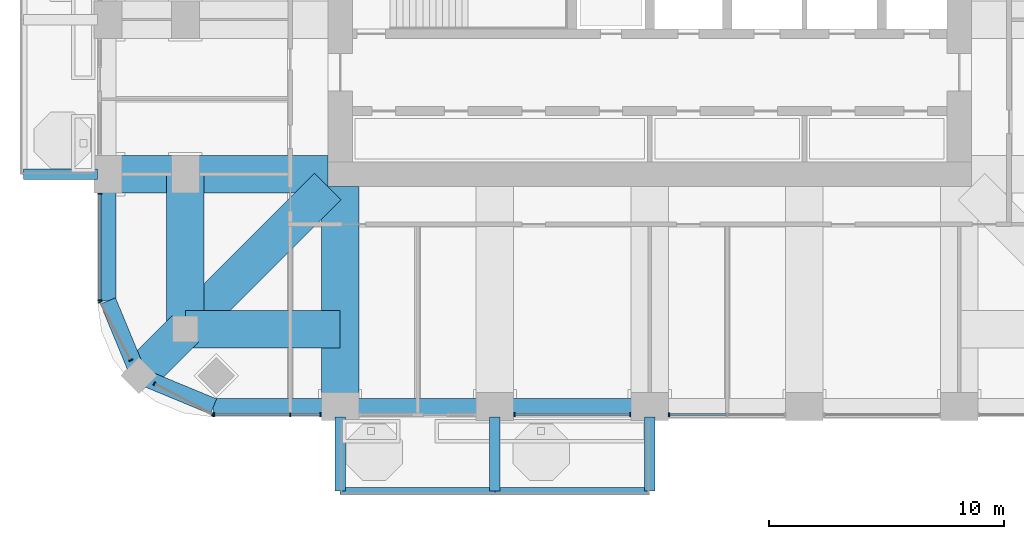
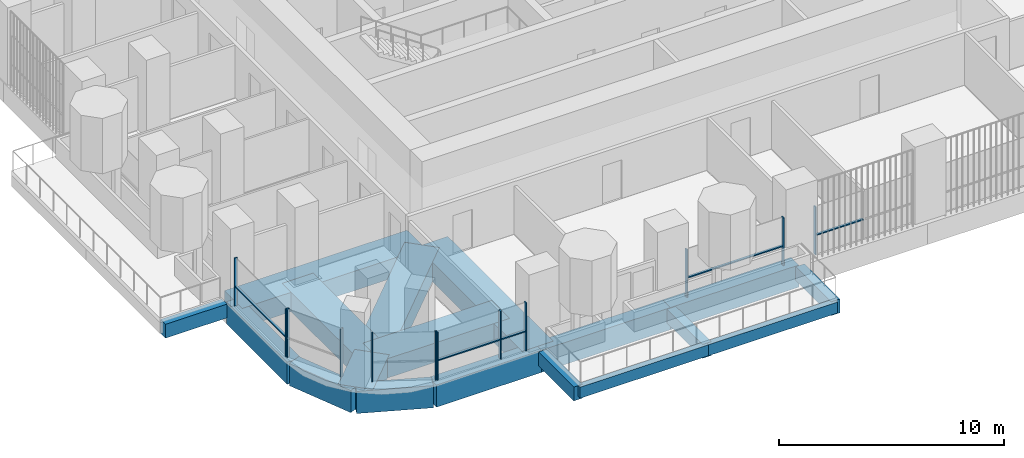
# One storey, part 2 of 20: 18 beams, 17 members, 6 elements without a shape of their own.
"""IFC4 building model written with IfcOpenShell, lengths in metres."""

from ifc_helpers import new_model, si_unit, direction, frame, origin, origin_2d, place, context, subcontext, project, spatial, rectangle, extrude, material, material_profile, profile_set, type_object, element, aggregate, save


model = new_model("IFC4")

# Units and contexts
model_context = context("Model", 3, precision=1e-05, world=origin(), true_north=direction((0.0, 1.0)))
body_context = subcontext(model_context, "Body", "Model", "MODEL_VIEW")
ifc_project = project(units=[si_unit("LENGTHUNIT", "METRE"), si_unit("AREAUNIT", "SQUARE_METRE"), si_unit("VOLUMEUNIT", "CUBIC_METRE"), si_unit("PLANEANGLEUNIT", "RADIAN"), si_unit("MASSUNIT", "GRAM", prefix="KILO")], contexts=[model_context])

# Site, building, storey
site_placement = place(None, origin())
site = spatial("IfcSite", under=ifc_project, at=site_placement, CompositionType="ELEMENT")
building_placement = place(site_placement, origin())
building = spatial("IfcBuilding", under=site, at=building_placement, Name="Cobogo Forest Laboratory Tower", CompositionType="ELEMENT")
storey_placement = place(building_placement, frame((0.0, 0.0, 210.300048828125)))
storey = spatial("IfcBuildingStorey", under=building, at=storey_placement, Name="L48", CompositionType="ELEMENT", Elevation=210.300048828125)

# Beams
ifc_material_1 = material(Name="Concrete HA-40 (C40/50)", Category="concrete")
ifc_material_profile_1 = material_profile(ifc_material_1, rectangle(XDim=0.449951171875, YDim=0.75, at=origin_2d()), Name="RC 450x750")
ifc_profile_set_1 = profile_set([ifc_material_profile_1], Name="Concrete HA-40 (C40/50)")
beam_type_1 = type_object("IfcBeamType", Name="Balcony cantilever beam 450x750", PredefinedType="BEAM", material=ifc_profile_set_1)
for number, where, z_axis, x_axis, name in (
    (1, (13.199951171875, 2.85009765625, -0.625), (0.0, -1.0, 0.0), (1.0, 0.0, 0.0), "CB1 BAL-S1-C1 L48"),
    (2, (19.800048828125, 2.85009765625, -0.625), (0.0, -1.0, 0.0), (1.0, 0.0, 0.0), "CB1 BAL-S1-C2 L48"),
    (3, (26.39990234375, 2.85009765625, -0.625), (0.0, -1.0, 0.0), (1.0, 0.0, 0.0), "CB1 BAL-S1-C3 L48"),
    (4, (2.85009765625, 13.199951171875, -0.625), (-1.0, 0.0, 0.0), (0.0, -1.0, 0.0), "CB1 BAL-W1-C1 L48"),
):
    element("IfcBeam", number, at=place(storey_placement, frame(where, z_axis=z_axis, x_axis=x_axis)), inside=storey, type_object=beam_type_1, Name=name, PredefinedType="BEAM", context=body_context, shape_type="SweptSolid", body=[
        extrude(rectangle(XDim=0.449951171875, YDim=0.75, at=origin_2d()), origin(), (0.0, 0.0, 1.0), 3.150146484375),
    ])
ifc_material_profile_2 = material_profile(ifc_material_1, rectangle(XDim=0.300048828125, YDim=0.60009765625, at=origin_2d()), Name="RC 300x600")
ifc_profile_set_2 = profile_set([ifc_material_profile_2], Name="Concrete HA-40 (C40/50)")
beam_type_2 = type_object("IfcBeamType", Name="Balcony edge beam 300x600", PredefinedType="BEAM", material=ifc_profile_set_2)
beam_1_placement = place(storey_placement, frame((13.199951171875, -0.300048828125, -0.550048828125), z_axis=(1.0, 0.0, 0.0), x_axis=(0.0, 1.0, 0.0)))
element("IfcBeam", 5, at=beam_1_placement, inside=storey, type_object=beam_type_2, Name="BB1 BAL-S1-T1 L48", PredefinedType="BEAM", context=body_context, shape_type="SweptSolid", body=[
    extrude(rectangle(XDim=0.300048828125, YDim=0.60009765625, at=origin_2d()), origin(), (0.0, 0.0, 1.0), 6.60009765625),
])
beam_2_placement = place(storey_placement, frame((19.800048828125, -0.300048828125, -0.550048828125), z_axis=(1.0, 0.0, 0.0), x_axis=(0.0, 1.0, 0.0)))
element("IfcBeam", 6, at=beam_2_placement, inside=storey, type_object=beam_type_2, Name="BB1 BAL-S1-T2 L48", PredefinedType="BEAM", context=body_context, shape_type="SweptSolid", body=[
    extrude(rectangle(XDim=0.300048828125, YDim=0.60009765625, at=origin_2d()), origin(), (0.0, 0.0, 1.0), 6.599853515625),
])
ifc_material_2 = material(Name="Concrete HA-50 (C50/60)", Category="concrete")
ifc_material_profile_3 = material_profile(ifc_material_2, rectangle(XDim=1.60009765625, YDim=1.050048828125, at=origin_2d()), Name="RC 1600x1050")
ifc_profile_set_3 = profile_set([ifc_material_profile_3], Name="Concrete HA-50 (C50/60)")
beam_type_3 = type_object("IfcBeamType", Name="Laboratory floor wide beam 1600x1050", PredefinedType="BEAM", material=ifc_profile_set_3)
for number, where, z_axis, x_axis, name in (
    (7, (13.199951171875, 12.675048828125, -0.824951171875), (0.0, -1.0, 0.0), (1.0, 0.0, 0.0), "RB8 R-3-S L48"),
    (8, (12.675048828125, 13.199951171875, -0.824951171875), (-1.0, 0.0, 0.0), (0.0, -1.0, 0.0), "RB8 R-C-W L48"),
):
    element("IfcBeam", number, at=place(storey_placement, frame(where, z_axis=z_axis, x_axis=x_axis)), inside=storey, type_object=beam_type_3, Name=name, PredefinedType="BEAM", context=body_context, shape_type="SweptSolid", body=[
        extrude(rectangle(XDim=1.60009765625, YDim=1.050048828125, at=origin_2d()), origin(), (0.0, 0.0, 1.0), 9.375),
    ])
for number, where, z_axis, x_axis, name in (
    (9, (6.60009765625, 6.60009765625, -0.824951171875), (0.0, 1.0, 0.0), (-1.0, 0.0, 0.0), "RB8 G-SW-XC L48"),
    (10, (6.60009765625, 6.60009765625, -0.824951171875), (1.0, 0.0, 0.0), (0.0, 1.0, 0.0), "RB8 G-SW-YC L48"),
):
    element("IfcBeam", number, at=place(storey_placement, frame(where, z_axis=z_axis, x_axis=x_axis)), inside=storey, type_object=beam_type_3, Name=name, PredefinedType="BEAM", context=body_context, shape_type="SweptSolid", body=[
        extrude(rectangle(XDim=1.60009765625, YDim=1.050048828125, at=origin_2d()), origin(), (0.0, 0.0, 1.0), 6.599853515625),
    ])
beam_3_placement = place(storey_placement, frame((4.617919921875, 4.617919921875, -0.824951171875), z_axis=(0.707106781187, 0.707106781187, 0.0), x_axis=(-0.707106781187, 0.707106781187, 0.0)))
element("IfcBeam", 11, at=beam_3_placement, inside=storey, type_object=beam_type_3, Name="RB8 G-SW-D1 L48", PredefinedType="BEAM", context=body_context, shape_type="SweptSolid", body=[
    extrude(rectangle(XDim=1.60009765625, YDim=1.050048828125, at=origin_2d()), origin(), (0.0, 0.0, 1.0), 2.80322265625),
])
beam_4_placement = place(storey_placement, frame((6.60009765625, 6.60009765625, -0.824951171875), z_axis=(0.707106781187, 0.707106781187, 0.0), x_axis=(-0.707106781187, 0.707106781187, 0.0)))
element("IfcBeam", 12, at=beam_4_placement, inside=storey, type_object=beam_type_3, Name="RB8 G-SW-D2 L48", PredefinedType="BEAM", context=body_context, shape_type="SweptSolid", body=[
    extrude(rectangle(XDim=1.60009765625, YDim=1.050048828125, at=origin_2d()), origin(), (0.0, 0.0, 1.0), 8.59130859375),
])

# Curtain wall, members
ifc_material_3 = material(Name="Aluminium curtain wall", Category="aluminium")
curtain_wall_type = type_object("IfcCurtainWallType", Name="CW-2 unitised curtain wall, solar control glazing, laboratory floors zones C and D", PredefinedType="USERDEFINED", material=ifc_material_3)
curtain_wall_1_placement = place(storey_placement, origin())
curtain_wall_1 = element("IfcCurtainWall", 13, at=curtain_wall_1_placement, inside=storey, type_object=curtain_wall_type, Name="Curtain wall 01 L48", ObjectType="UNITISED CURTAIN WALL", PredefinedType="USERDEFINED")
ifc_material_4 = material(Name="Aluminium mullion", Category="aluminium")
ifc_material_profile_4 = material_profile(ifc_material_4, rectangle(XDim=0.06005859375, YDim=0.159912109375, at=origin_2d()), Name="AL 60x160")
ifc_profile_set_4 = profile_set([ifc_material_profile_4], Name="Aluminium mullion")
member_type_1 = type_object("IfcMemberType", Name="MU-1 aluminium mullion 60x160", PredefinedType="MULLION", material=ifc_profile_set_4)
member_1_placement = place(storey_placement, frame((7.830078125, 2.949951171875, 0.0), z_axis=(0.0, 0.0, 1.0), x_axis=(1.0, 0.0, 0.0)))
member_1 = element("IfcMember", 14, at=member_1_placement, type_object=member_type_1, Name="CW-2 mullion 1", PredefinedType="MULLION", context=body_context, shape_type="SweptSolid", body=[
    extrude(rectangle(XDim=0.06005859375, YDim=0.159912109375, at=origin_2d()), origin(), (0.0, 0.0, 1.0), 2.599853515625),
])
member_2_placement = place(storey_placement, frame((11.074951171875, 2.949951171875, 0.0), z_axis=(0.0, 0.0, 1.0), x_axis=(1.0, 0.0, 0.0)))
member_2 = element("IfcMember", 15, at=member_2_placement, type_object=member_type_1, Name="CW-2 mullion 2", PredefinedType="MULLION", context=body_context, shape_type="SweptSolid", body=[
    extrude(rectangle(XDim=0.06005859375, YDim=0.159912109375, at=origin_2d()), origin(), (0.0, 0.0, 1.0), 2.599853515625),
])
member_3_placement = place(storey_placement, frame((12.3701171875, 2.949951171875, 0.0), z_axis=(0.0, 0.0, 1.0), x_axis=(1.0, 0.0, 0.0)))
member_3 = element("IfcMember", 16, at=member_3_placement, type_object=member_type_1, Name="CW-2 mullion 3", PredefinedType="MULLION", context=body_context, shape_type="SweptSolid", body=[
    extrude(rectangle(XDim=0.06005859375, YDim=0.159912109375, at=origin_2d()), origin(), (0.0, 0.0, 1.0), 2.599853515625),
])

curtain_wall_2_placement = place(storey_placement, origin())
curtain_wall_2 = element("IfcCurtainWall", 17, at=curtain_wall_2_placement, inside=storey, type_object=curtain_wall_type, Name="Curtain wall 03 L48", ObjectType="UNITISED CURTAIN WALL", PredefinedType="USERDEFINED")
member_4_placement = place(storey_placement, frame((20.6298828125, 2.949951171875, 0.0), z_axis=(0.0, 0.0, 1.0), x_axis=(1.0, 0.0, 0.0)))
member_4 = element("IfcMember", 18, at=member_4_placement, type_object=member_type_1, Name="CW-2 mullion 1", PredefinedType="MULLION", context=body_context, shape_type="SweptSolid", body=[
    extrude(rectangle(XDim=0.06005859375, YDim=0.159912109375, at=origin_2d()), origin(), (0.0, 0.0, 1.0), 2.599853515625),
])
member_5_placement = place(storey_placement, frame((25.570068359375, 2.949951171875, 0.0), z_axis=(0.0, 0.0, 1.0), x_axis=(1.0, 0.0, 0.0)))
member_5 = element("IfcMember", 19, at=member_5_placement, type_object=member_type_1, Name="CW-2 mullion 2", PredefinedType="MULLION", context=body_context, shape_type="SweptSolid", body=[
    extrude(rectangle(XDim=0.06005859375, YDim=0.159912109375, at=origin_2d()), origin(), (0.0, 0.0, 1.0), 2.599853515625),
])

# Curtain wall, member
curtain_wall_3_placement = place(storey_placement, origin())
curtain_wall_3 = element("IfcCurtainWall", 20, at=curtain_wall_3_placement, inside=storey, type_object=curtain_wall_type, Name="Curtain wall 04 L48", ObjectType="UNITISED CURTAIN WALL", PredefinedType="USERDEFINED")
member_6_placement = place(storey_placement, frame((27.22998046875, 2.949951171875, 0.0), z_axis=(0.0, 0.0, 1.0), x_axis=(1.0, 0.0, 0.0)))
member_6 = element("IfcMember", 21, at=member_6_placement, type_object=member_type_1, Name="CW-2 mullion 1", PredefinedType="MULLION", context=body_context, shape_type="SweptSolid", body=[
    extrude(rectangle(XDim=0.06005859375, YDim=0.159912109375, at=origin_2d()), origin(), (0.0, 0.0, 1.0), 2.599853515625),
])

# Curtain wall, members
curtain_wall_4_placement = place(storey_placement, origin())
curtain_wall_4 = element("IfcCurtainWall", 22, at=curtain_wall_4_placement, inside=storey, type_object=curtain_wall_type, Name="Curtain wall 28 L48", ObjectType="UNITISED CURTAIN WALL", PredefinedType="USERDEFINED")
member_7_placement = place(storey_placement, frame((2.949951171875, 12.3701171875, 0.0), z_axis=(0.0, 0.0, 1.0), x_axis=(0.0, -1.0, 0.0)))
member_7 = element("IfcMember", 23, at=member_7_placement, type_object=member_type_1, Name="CW-2 mullion 1", PredefinedType="MULLION", context=body_context, shape_type="SweptSolid", body=[
    extrude(rectangle(XDim=0.06005859375, YDim=0.159912109375, at=origin_2d()), origin(), (0.0, 0.0, 1.0), 2.599853515625),
])
member_8_placement = place(storey_placement, frame((2.949951171875, 7.830078125, 0.0), z_axis=(0.0, 0.0, 1.0), x_axis=(0.0, -1.0, 0.0)))
member_8 = element("IfcMember", 24, at=member_8_placement, type_object=member_type_1, Name="CW-2 mullion 2", PredefinedType="MULLION", context=body_context, shape_type="SweptSolid", body=[
    extrude(rectangle(XDim=0.06005859375, YDim=0.159912109375, at=origin_2d()), origin(), (0.0, 0.0, 1.0), 2.599853515625),
])

curtain_wall_5_placement = place(storey_placement, origin())
curtain_wall_5 = element("IfcCurtainWall", 25, at=curtain_wall_5_placement, inside=storey, type_object=curtain_wall_type, Name="Curtain wall 29 L48", ObjectType="UNITISED CURTAIN WALL", PredefinedType="USERDEFINED")
member_9_placement = place(storey_placement, frame((2.9638671875, 7.7734375, 0.0), z_axis=(0.0, 0.0, 1.0), x_axis=(0.464283804832, -0.885686484356, 0.0)))
member_9 = element("IfcMember", 26, at=member_9_placement, type_object=member_type_1, Name="CW-2 mullion 1", PredefinedType="MULLION", context=body_context, shape_type="SweptSolid", body=[
    extrude(rectangle(XDim=0.06005859375, YDim=0.159912109375, at=origin_2d()), origin(), (0.0, 0.0, 1.0), 2.599853515625),
])
member_10_placement = place(storey_placement, frame((4.2734375, 5.275634765625, 0.0), z_axis=(0.0, 0.0, 1.0), x_axis=(0.464283804832, -0.885686484356, 0.0)))
member_10 = element("IfcMember", 27, at=member_10_placement, type_object=member_type_1, Name="CW-2 mullion 2", PredefinedType="MULLION", context=body_context, shape_type="SweptSolid", body=[
    extrude(rectangle(XDim=0.06005859375, YDim=0.159912109375, at=origin_2d()), origin(), (0.0, 0.0, 1.0), 2.599853515625),
])
aggregate(curtain_wall_5, [member_9, member_10])

curtain_wall_6_placement = place(storey_placement, origin())
curtain_wall_6 = element("IfcCurtainWall", 28, at=curtain_wall_6_placement, inside=storey, type_object=curtain_wall_type, Name="Curtain wall 30 L48", ObjectType="UNITISED CURTAIN WALL", PredefinedType="USERDEFINED")
member_11_placement = place(storey_placement, frame((5.275634765625, 4.2734375, 0.0), z_axis=(0.0, 0.0, 1.0), x_axis=(0.885686484356, -0.464283804832, 0.0)))
member_11 = element("IfcMember", 29, at=member_11_placement, type_object=member_type_1, Name="CW-2 mullion 1", PredefinedType="MULLION", context=body_context, shape_type="SweptSolid", body=[
    extrude(rectangle(XDim=0.06005859375, YDim=0.159912109375, at=origin_2d()), origin(), (0.0, 0.0, 1.0), 2.599853515625),
])
member_12_placement = place(storey_placement, frame((7.7734375, 2.9638671875, 0.0), z_axis=(0.0, 0.0, 1.0), x_axis=(0.885686484356, -0.464283804832, 0.0)))
member_12 = element("IfcMember", 30, at=member_12_placement, type_object=member_type_1, Name="CW-2 mullion 2", PredefinedType="MULLION", context=body_context, shape_type="SweptSolid", body=[
    extrude(rectangle(XDim=0.06005859375, YDim=0.159912109375, at=origin_2d()), origin(), (0.0, 0.0, 1.0), 2.599853515625),
])
aggregate(curtain_wall_6, [member_11, member_12])

# Beams
ifc_material_profile_5 = material_profile(ifc_material_1, rectangle(XDim=0.699951171875, YDim=1.199951171875, at=origin_2d()), Name="RC 700x1200")
ifc_profile_set_5 = profile_set([ifc_material_profile_5], Name="Concrete HA-40 (C40/50)")
beam_type_4 = type_object("IfcBeamType", Name="Perimeter edge beam 700x1200", PredefinedType="BEAM", material=ifc_profile_set_5)
beam_5_placement = place(storey_placement, frame((13.199951171875, 3.300048828125, -0.900146484375), z_axis=(1.0, 0.0, 0.0), x_axis=(0.0, 1.0, 0.0)))
element("IfcBeam", 31, at=beam_5_placement, inside=storey, type_object=beam_type_4, Name="EB1 E-S1 L48", PredefinedType="BEAM", context=body_context, shape_type="SweptSolid", body=[
    extrude(rectangle(XDim=0.699951171875, YDim=1.199951171875, at=origin_2d()), origin(), (0.0, 0.0, 1.0), 6.60009765625),
])
beam_6_placement = place(storey_placement, frame((19.800048828125, 3.300048828125, -0.900146484375), z_axis=(1.0, 0.0, 0.0), x_axis=(0.0, 1.0, 0.0)))
element("IfcBeam", 32, at=beam_6_placement, inside=storey, type_object=beam_type_4, Name="EB1 E-S2 L48", PredefinedType="BEAM", context=body_context, shape_type="SweptSolid", body=[
    extrude(rectangle(XDim=0.699951171875, YDim=1.199951171875, at=origin_2d()), origin(), (0.0, 0.0, 1.0), 6.599853515625),
])
beam_7_placement = place(storey_placement, frame((13.199951171875, 3.300048828125, -0.900146484375), z_axis=(-1.0, 0.0, 0.0), x_axis=(0.0, -1.0, 0.0)))
element("IfcBeam", 33, at=beam_7_placement, inside=storey, type_object=beam_type_4, Name="EB1 E-SWS1 L48", PredefinedType="BEAM", context=body_context, shape_type="SweptSolid", body=[
    extrude(rectangle(XDim=0.699951171875, YDim=1.199951171875, at=origin_2d()), origin(), (0.0, 0.0, 1.0), 5.39990234375),
])
beam_8_placement = place(storey_placement, frame((7.800048828125, 3.300048828125, -0.900146484375), z_axis=(-0.923901072997, 0.382631424892, 0.0), x_axis=(-0.382631424892, -0.923901072997, 0.0)))
element("IfcBeam", 34, at=beam_8_placement, inside=storey, type_object=beam_type_4, Name="EB1 E-SWS2 L48", PredefinedType="BEAM", context=body_context, shape_type="SweptSolid", body=[
    extrude(rectangle(XDim=0.699951171875, YDim=1.199951171875, at=origin_2d()), origin(), (0.0, 0.0, 1.0), 3.4443359375),
])
beam_9_placement = place(storey_placement, frame((3.300048828125, 13.199951171875, -0.900146484375), z_axis=(0.0, -1.0, 0.0), x_axis=(1.0, 0.0, 0.0)))
element("IfcBeam", 35, at=beam_9_placement, inside=storey, type_object=beam_type_4, Name="EB1 E-SWW1 L48", PredefinedType="BEAM", context=body_context, shape_type="SweptSolid", body=[
    extrude(rectangle(XDim=0.699951171875, YDim=1.199951171875, at=origin_2d()), origin(), (0.0, 0.0, 1.0), 5.39990234375),
])
beam_10_placement = place(storey_placement, frame((3.300048828125, 7.800048828125, -0.900146484375), z_axis=(0.382631424892, -0.923901072997, 0.0), x_axis=(0.923901072997, 0.382631424892, 0.0)))
element("IfcBeam", 36, at=beam_10_placement, inside=storey, type_object=beam_type_4, Name="EB1 E-SWW2 L48", PredefinedType="BEAM", context=body_context, shape_type="SweptSolid", body=[
    extrude(rectangle(XDim=0.699951171875, YDim=1.199951171875, at=origin_2d()), origin(), (0.0, 0.0, 1.0), 3.4443359375),
])

# Member
ifc_material_5 = material(Name="Aluminium transom", Category="aluminium")
ifc_material_profile_6 = material_profile(ifc_material_5, rectangle(XDim=0.1201171875, YDim=0.06005859375, at=origin_2d()), Name="AL 60x120")
ifc_profile_set_6 = profile_set([ifc_material_profile_6], Name="Aluminium transom")
member_type_2 = type_object("IfcMemberType", Name="TR-1 aluminium transom 60x120", PredefinedType="USERDEFINED", material=ifc_profile_set_6)
member_13_placement = place(storey_placement, frame((7.860107421875, 2.949951171875, 1.050048828125), z_axis=(1.0, 0.0, 0.0), x_axis=(0.0, 1.0, 0.0)))
member_13 = element("IfcMember", 37, at=member_13_placement, type_object=member_type_2, Name="CW-2 transom 1.1", ObjectType="TRANSOM", PredefinedType="USERDEFINED", context=body_context, shape_type="SweptSolid", body=[
    extrude(rectangle(XDim=0.1201171875, YDim=0.06005859375, at=origin_2d()), origin(), (0.0, 0.0, 1.0), 3.184814453125),
])

member_14_placement = place(storey_placement, frame((11.10498046875, 2.949951171875, 1.050048828125), z_axis=(1.0, 0.0, 0.0), x_axis=(0.0, 1.0, 0.0)))
member_14 = element("IfcMember", 38, at=member_14_placement, type_object=member_type_2, Name="CW-2 transom 2.1", ObjectType="TRANSOM", PredefinedType="USERDEFINED", context=body_context, shape_type="SweptSolid", body=[
    extrude(rectangle(XDim=0.1201171875, YDim=0.06005859375, at=origin_2d()), origin(), (0.0, 0.0, 1.0), 1.235107421875),
])

aggregate(curtain_wall_1, [member_1, member_2, member_3, member_13, member_14])

member_15_placement = place(storey_placement, frame((20.659912109375, 2.949951171875, 1.050048828125), z_axis=(1.0, 0.0, 0.0), x_axis=(0.0, 1.0, 0.0)))
member_15 = element("IfcMember", 39, at=member_15_placement, type_object=member_type_2, Name="CW-2 transom 1.1", ObjectType="TRANSOM", PredefinedType="USERDEFINED", context=body_context, shape_type="SweptSolid", body=[
    extrude(rectangle(XDim=0.1201171875, YDim=0.06005859375, at=origin_2d()), origin(), (0.0, 0.0, 1.0), 4.880126953125),
])

aggregate(curtain_wall_2, [member_4, member_5, member_15])

member_16_placement = place(storey_placement, frame((27.260009765625, 2.949951171875, 1.050048828125), z_axis=(1.0, 0.0, 0.0), x_axis=(0.0, 1.0, 0.0)))
member_16 = element("IfcMember", 40, at=member_16_placement, type_object=member_type_2, Name="CW-2 transom 1.1", ObjectType="TRANSOM", PredefinedType="USERDEFINED", context=body_context, shape_type="SweptSolid", body=[
    extrude(rectangle(XDim=0.1201171875, YDim=0.06005859375, at=origin_2d()), origin(), (0.0, 0.0, 1.0), 2.409912109375),
])

aggregate(curtain_wall_3, [member_6, member_16])

member_17_placement = place(storey_placement, frame((2.949951171875, 12.340087890625, 1.050048828125), z_axis=(0.0, -1.0, 0.0), x_axis=(1.0, 0.0, 0.0)))
member_17 = element("IfcMember", 41, at=member_17_placement, type_object=member_type_2, Name="CW-2 transom 1.1", ObjectType="TRANSOM", PredefinedType="USERDEFINED", context=body_context, shape_type="SweptSolid", body=[
    extrude(rectangle(XDim=0.1201171875, YDim=0.06005859375, at=origin_2d()), origin(), (0.0, 0.0, 1.0), 4.47998046875),
])

aggregate(curtain_wall_4, [member_7, member_8, member_17])

save(model, "model.ifc")
